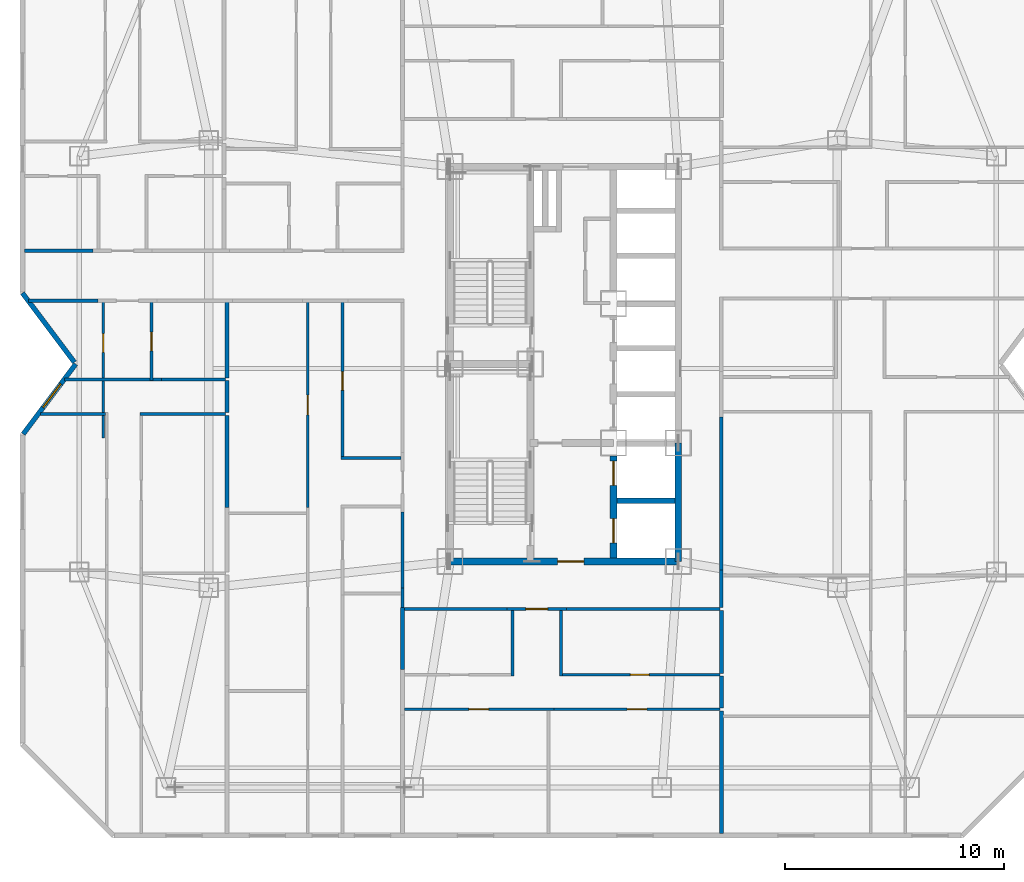
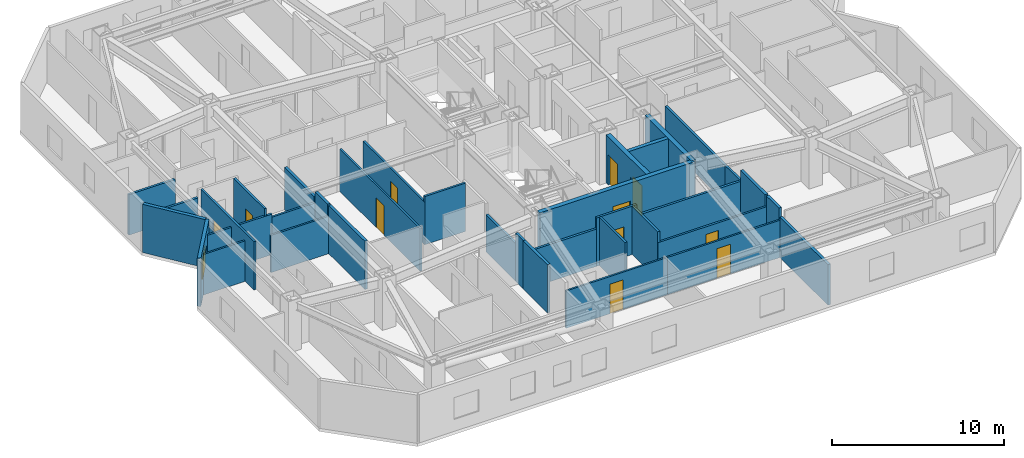
# One storey, part 6 of 12: 36 walls, 11 doors, 1 window, 12 openings.
"""IFC4 building model written with IfcOpenShell, lengths in metres."""

from ifc_helpers import new_model, si_unit, direction, frame, frame_2d, origin, place, context, subcontext, project, spatial, rectangle, extrude, material, layer, layer_set, type_object, element, fill, save


model = new_model("IFC4")

# Units and contexts
model_context = context("Model", 3, precision=1e-05, world=origin(), true_north=direction((0.0, 1.0)))
body_context = subcontext(model_context, "Body", "Model", "MODEL_VIEW")
ifc_project = project(units=[si_unit("LENGTHUNIT", "METRE"), si_unit("AREAUNIT", "SQUARE_METRE"), si_unit("VOLUMEUNIT", "CUBIC_METRE"), si_unit("PLANEANGLEUNIT", "RADIAN"), si_unit("MASSUNIT", "GRAM", prefix="KILO")], contexts=[model_context])

# Site, building, storey
site_placement = place(None, origin())
site = spatial("IfcSite", under=ifc_project, at=site_placement, CompositionType="ELEMENT")
building_placement = place(site_placement, origin())
building = spatial("IfcBuilding", under=site, at=building_placement, Name="Khamvora Tower", CompositionType="ELEMENT")
storey_placement = place(building_placement, frame((0.0, 0.0, 138.39990234375)))
storey = spatial("IfcBuildingStorey", under=building, at=storey_placement, Name="L35", CompositionType="ELEMENT", Elevation=138.39990234375)

# Wall, opening, door
ifc_material_1 = material(Name="Concrete C50/60", Category="concrete")
ifc_layer_1 = layer(ifc_material_1, 0.300048828125)
ifc_layer_set_1 = layer_set([ifc_layer_1], Name="Concrete C50/60")
wall_type_1 = type_object("IfcWallType", Name="WAL-CORE-300", PredefinedType="SHEAR", material=ifc_layer_set_1)
wall_1_placement = place(storey_placement, frame((29.0, 19.0, 0.0), z_axis=(0.0, 0.0, 1.0), x_axis=(1.0, 0.0, 0.0)))
wall_1 = element("IfcWall", 1, at=wall_1_placement, inside=storey, type_object=wall_type_1, Name="L35 central core south wall", PredefinedType="SHEAR", context=body_context, shape_type="SweptSolid", body=[
    extrude(rectangle(XDim=10.39990234375, YDim=0.300048828125, at=frame_2d((5.199951171875, 0.0))), origin(), (0.0, 0.0, 1.0), 3.43017578125),
])
opening_1_placement = place(wall_1_placement, frame((4.89990234375, 0.0, 0.0)))
opening_1 = element("IfcOpeningElement", 2, at=opening_1_placement, cuts=wall_1, Name="Opening D-CR1", PredefinedType="OPENING", context=body_context, shape_type="SweptSolid", body=[
    extrude(rectangle(XDim=1.199951171875, YDim=2.14990234375, at=frame_2d((0.60009765625, 1.074951171875))), frame((0.0, 0.159912109375, 0.0), z_axis=(0.0, -1.0, 0.0), x_axis=(1.0, 0.0, 0.0)), (0.0, 0.0, 1.0), 0.320068359375),
])
ifc_material_2 = material(Name="Powder-Coated Steel and Hardwood Leaf", Category="steel")
door_type_1 = type_object("IfcDoorType", Name="DOR-CORR-1200", OperationType="NOTDEFINED", PredefinedType="DOOR", material=ifc_material_2)
door_1_placement = place(opening_1_placement, origin())
door_1 = element("IfcDoor", 3, at=door_1_placement, inside=storey, type_object=door_type_1, Name="L35 south core lobby to corridor fire door", OperationType="SINGLE_SWING_RIGHT", OverallHeight=2.14990234375, OverallWidth=1.199951171875, PredefinedType="DOOR", context=body_context, shape_type="SweptSolid", body=[
    extrude(rectangle(XDim=1.199951171875, YDim=2.14990234375, at=frame_2d((0.60009765625, 1.074951171875))), frame((0.0, 0.02490234375, 0.0), z_axis=(0.0, -1.0, 0.0), x_axis=(1.0, 0.0, 0.0)), (0.0, 0.0, 1.0), 0.050048828125),
])
fill(opening_1, door_1)

# Wall
wall_2_placement = place(storey_placement, frame((39.39990234375, 19.0, 0.0), z_axis=(0.0, 0.0, 1.0), x_axis=(0.0, 1.0, 0.0)))
element("IfcWall", 4, at=wall_2_placement, inside=storey, type_object=wall_type_1, Name="L35 central core east south wall", PredefinedType="SHEAR", context=body_context, shape_type="SweptSolid", body=[
    extrude(rectangle(XDim=5.39990234375, YDim=0.300048828125, at=frame_2d((2.699951171875, 0.0))), origin(), (0.0, 0.0, 1.0), 3.43017578125),
])

# Wall, openings, doors
wall_3_placement = place(storey_placement, frame((36.449951171875, 19.154052734375, 0.0), z_axis=(0.0, 0.0, 1.0), x_axis=(0.0, 1.0, 0.0)))
wall_3 = element("IfcWall", 5, at=wall_3_placement, inside=storey, type_object=wall_type_1, Name="L35 central core lift bank south wall", PredefinedType="SHEAR", context=body_context, shape_type="SweptSolid", body=[
    extrude(rectangle(XDim=4.64599609375, YDim=0.300048828125, at=frame_2d((2.322998046875, 0.0))), origin(), (0.0, 0.0, 1.0), 3.43017578125),
])
opening_2_placement = place(wall_3_placement, frame((0.696044921875, 0.0, 0.0)))
opening_2 = element("IfcOpeningElement", 6, at=opening_2_placement, cuts=wall_3, Name="Opening LD-FFL", PredefinedType="OPENING", context=body_context, shape_type="SweptSolid", body=[
    extrude(rectangle(XDim=1.10009765625, YDim=2.14990234375, at=frame_2d((0.550048828125, 1.074951171875))), frame((0.0, 0.159912109375, 0.0), z_axis=(0.0, -1.0, 0.0), x_axis=(1.0, 0.0, 0.0)), (0.0, 0.0, 1.0), 0.320068359375),
])
opening_3_placement = place(wall_3_placement, frame((3.31591796875, 0.0, 0.0)))
opening_3 = element("IfcOpeningElement", 7, at=opening_3_placement, cuts=wall_3, Name="Opening LD-FFL", PredefinedType="OPENING", context=body_context, shape_type="SweptSolid", body=[
    extrude(rectangle(XDim=1.10009765625, YDim=2.14990234375, at=frame_2d((0.550048828125, 1.074951171875))), frame((0.0, 0.159912109375, 0.0), z_axis=(0.0, -1.0, 0.0), x_axis=(1.0, 0.0, 0.0)), (0.0, 0.0, 1.0), 0.320068359375),
])
door_type_2 = type_object("IfcDoorType", Name="DOR-LIFT-1100", OperationType="SLIDING_TO_LEFT", PredefinedType="DOOR", material=ifc_material_2)
door_2_placement = place(opening_2_placement, origin())
door_2 = element("IfcDoor", 8, at=door_2_placement, inside=storey, type_object=door_type_2, Name="L35 lift landing sliding door FFL-01", OperationType="SLIDING_TO_LEFT", OverallHeight=2.14990234375, OverallWidth=1.10009765625, PredefinedType="DOOR", context=body_context, shape_type="SweptSolid", body=[
    extrude(rectangle(XDim=1.10009765625, YDim=2.14990234375, at=frame_2d((0.550048828125, 1.074951171875))), frame((0.0, 0.02490234375, 0.0), z_axis=(0.0, -1.0, 0.0), x_axis=(1.0, 0.0, 0.0)), (0.0, 0.0, 1.0), 0.050048828125),
])
fill(opening_2, door_2)
door_3_placement = place(opening_3_placement, origin())
door_3 = element("IfcDoor", 9, at=door_3_placement, inside=storey, type_object=door_type_2, Name="L35 lift landing sliding door FFL-02", OperationType="SLIDING_TO_LEFT", OverallHeight=2.14990234375, OverallWidth=1.10009765625, PredefinedType="DOOR", context=body_context, shape_type="SweptSolid", body=[
    extrude(rectangle(XDim=1.10009765625, YDim=2.14990234375, at=frame_2d((0.550048828125, 1.074951171875))), frame((0.0, 0.02490234375, 0.0), z_axis=(0.0, -1.0, 0.0), x_axis=(1.0, 0.0, 0.0)), (0.0, 0.0, 1.0), 0.050048828125),
])
fill(opening_3, door_3)

# Walls
ifc_material_3 = material(Name="Fire-Rated Drywall and Steel Stud", Category="steel")
ifc_layer_2 = layer(ifc_material_3, 0.14990234375)
ifc_layer_set_2 = layer_set([ifc_layer_2], Name="Fire-Rated Drywall and Steel Stud")
wall_type_2 = type_object("IfcWallType", Name="WAL-CORR-150", PredefinedType="STANDARD", material=ifc_layer_set_2)
wall_4_placement = place(storey_placement, frame((12.945068359375, 30.885009765625, 0.0), z_axis=(0.0, 0.0, 1.0), x_axis=(-1.0, 0.0, 0.0)))
element("IfcWall", 10, at=wall_4_placement, inside=storey, type_object=wall_type_2, Name="L35 interior partition wall 005", PredefinedType="STANDARD", context=body_context, shape_type="SweptSolid", body=[
    extrude(rectangle(XDim=3.156982421875, YDim=0.14990234375, at=frame_2d((1.57861328125, 0.0))), origin(), (0.0, 0.0, 1.0), 2.8759765625),
])
wall_5_placement = place(storey_placement, frame((26.8349609375, 16.89990234375, 0.0), z_axis=(0.0, 0.0, 1.0), x_axis=(0.0, 1.0, 0.0)))
element("IfcWall", 11, at=wall_5_placement, inside=storey, type_object=wall_type_2, Name="L35 interior partition wall 007", PredefinedType="STANDARD", context=body_context, shape_type="SweptSolid", body=[
    extrude(rectangle(XDim=0.89306640625, YDim=0.14990234375, at=frame_2d((0.446533203125, 0.0))), origin(), (0.0, 0.0, 1.0), 3.43017578125),
])
wall_6_placement = place(storey_placement, frame((26.8349609375, 17.79296875, 0.0), z_axis=(0.0, 0.0, 1.0), x_axis=(0.0, 1.0, 0.0)))
element("IfcWall", 12, at=wall_6_placement, inside=storey, type_object=wall_type_2, Name="L35 interior partition wall 010", PredefinedType="STANDARD", context=body_context, shape_type="SweptSolid", body=[
    extrude(rectangle(XDim=3.467041015625, YDim=0.14990234375, at=frame_2d((1.7333984375, 0.0))), origin(), (0.0, 0.0, 1.0), 2.647216796875),
])
wall_7_placement = place(storey_placement, frame((9.612060546875, 33.1650390625, 0.0), z_axis=(0.0, 0.0, 1.0), x_axis=(1.0, 0.0, 0.0)))
element("IfcWall", 13, at=wall_7_placement, inside=storey, type_object=wall_type_2, Name="L35 interior partition wall 015", PredefinedType="STANDARD", context=body_context, shape_type="SweptSolid", body=[
    extrude(rectangle(XDim=3.114013671875, YDim=0.14990234375, at=frame_2d((1.55712890625, 0.0))), origin(), (0.0, 0.0, 1.0), 2.8759765625),
])

# Wall, opening, door
wall_8_placement = place(storey_placement, frame((34.299072265625, 16.8349609375, 0.0), z_axis=(0.0, 0.0, 1.0), x_axis=(-1.0, 0.0, 0.0)))
wall_8 = element("IfcWall", 14, at=wall_8_placement, inside=storey, type_object=wall_type_2, Name="L35 interior partition wall 023", PredefinedType="STANDARD", context=body_context, shape_type="SweptSolid", body=[
    extrude(rectangle(XDim=2.697998046875, YDim=0.14990234375, at=frame_2d((1.34912109375, 0.0))), origin(), (0.0, 0.0, 1.0), 3.43017578125),
])
opening_4_placement = place(wall_8_placement, frame((0.84912109375, 0.0, 0.0)))
opening_4 = element("IfcOpeningElement", 15, at=opening_4_placement, cuts=wall_8, Name="Opening D-U1", PredefinedType="OPENING", context=body_context, shape_type="SweptSolid", body=[
    extrude(rectangle(XDim=1.0, YDim=2.14990234375, at=frame_2d((0.5, 1.074951171875))), frame((0.0, 0.0849609375, 0.0), z_axis=(0.0, -1.0, 0.0), x_axis=(1.0, 0.0, 0.0)), (0.0, 0.0, 1.0), 0.169921875),
])
door_type_3 = type_object("IfcDoorType", Name="DOR-UNIT-1000", OperationType="NOTDEFINED", PredefinedType="DOOR", material=ifc_material_2)
door_4_placement = place(opening_4_placement, origin())
door_4 = element("IfcDoor", 16, at=door_4_placement, inside=storey, type_object=door_type_3, Name="L35 interior door COR-35SAH", OperationType="SINGLE_SWING_LEFT", OverallHeight=2.14990234375, OverallWidth=1.0, PredefinedType="DOOR", context=body_context, shape_type="SweptSolid", body=[
    extrude(rectangle(XDim=1.0, YDim=2.14990234375, at=frame_2d((0.5, 1.074951171875))), frame((0.0, 0.02490234375, 0.0), z_axis=(0.0, -1.0, 0.0), x_axis=(1.0, 0.0, 0.0)), (0.0, 0.0, 1.0), 0.050048828125),
])
fill(opening_4, door_4)

# Walls
wall_9_placement = place(storey_placement, frame((31.60107421875, 16.8349609375, 0.0), z_axis=(0.0, 0.0, 1.0), x_axis=(-1.0, 0.0, 0.0)))
element("IfcWall", 17, at=wall_9_placement, inside=storey, type_object=wall_type_2, Name="L35 interior partition wall 024", PredefinedType="STANDARD", context=body_context, shape_type="SweptSolid", body=[
    extrude(rectangle(XDim=4.701171875, YDim=0.14990234375, at=frame_2d((2.3505859375, 0.0))), origin(), (0.0, 0.0, 1.0), 2.647216796875),
])
wall_10_placement = place(storey_placement, frame((41.300048828125, 16.8349609375, 0.0), z_axis=(0.0, 0.0, 1.0), x_axis=(-1.0, 0.0, 0.0)))
element("IfcWall", 18, at=wall_10_placement, inside=storey, type_object=wall_type_2, Name="L35 interior partition wall 025", PredefinedType="STANDARD", context=body_context, shape_type="SweptSolid", body=[
    extrude(rectangle(XDim=7.0009765625, YDim=0.14990234375, at=frame_2d((3.50048828125, 0.0))), origin(), (0.0, 0.0, 1.0), 2.647216796875),
])
wall_11_placement = place(storey_placement, frame((41.364990234375, 18.612060546875, 0.0), z_axis=(0.0, 0.0, 1.0), x_axis=(0.0, -1.0, 0.0)))
element("IfcWall", 19, at=wall_11_placement, inside=storey, type_object=wall_type_2, Name="L35 interior partition wall 034", PredefinedType="STANDARD", context=body_context, shape_type="SweptSolid", body=[
    extrude(rectangle(XDim=1.712158203125, YDim=0.14990234375, at=frame_2d((0.85595703125, 0.0))), origin(), (0.0, 0.0, 1.0), 2.647216796875),
])
wall_12_placement = place(storey_placement, frame((41.364990234375, 25.575927734375, 0.0), z_axis=(0.0, 0.0, 1.0), x_axis=(0.0, -1.0, 0.0)))
element("IfcWall", 20, at=wall_12_placement, inside=storey, type_object=wall_type_2, Name="L35 interior partition wall 035", PredefinedType="STANDARD", context=body_context, shape_type="SweptSolid", body=[
    extrude(rectangle(XDim=6.9638671875, YDim=0.14990234375, at=frame_2d((3.48193359375, 0.0))), origin(), (0.0, 0.0, 1.0), 2.647216796875),
])
ifc_material_4 = material(Name="Acoustic Double-Stud Fire Wall", Category="gypsum")
ifc_layer_3 = layer(ifc_material_4, 0.179931640625)
ifc_layer_set_3 = layer_set([ifc_layer_3], Name="Acoustic Double-Stud Fire Wall")
wall_type_3 = type_object("IfcWallType", Name="WAL-CORR-180", PredefinedType="STANDARD", material=ifc_layer_set_3)
wall_13_placement = place(storey_placement, frame((18.830078125, 27.239990234375, 0.0), z_axis=(0.0, 0.0, 1.0), x_axis=(0.0, -1.0, 0.0)))
element("IfcWall", 21, at=wall_13_placement, inside=storey, type_object=wall_type_3, Name="L35 interior partition wall 052", PredefinedType="STANDARD", context=body_context, shape_type="SweptSolid", body=[
    extrude(rectangle(XDim=1.449951171875, YDim=0.179931640625, at=frame_2d((0.72509765625, 0.0))), origin(), (0.0, 0.0, 1.0), 3.43017578125),
])
wall_14_placement = place(storey_placement, frame((18.830078125, 30.820068359375, 0.0), z_axis=(0.0, 0.0, 1.0), x_axis=(0.0, -1.0, 0.0)))
element("IfcWall", 22, at=wall_14_placement, inside=storey, type_object=wall_type_3, Name="L35 interior partition wall 053", PredefinedType="STANDARD", context=body_context, shape_type="SweptSolid", body=[
    extrude(rectangle(XDim=3.449951171875, YDim=0.179931640625, at=frame_2d((1.72509765625, 0.0))), origin(), (0.0, 0.0, 1.0), 3.01318359375),
])
wall_15_placement = place(storey_placement, frame((18.830078125, 25.659912109375, 0.0), z_axis=(0.0, 0.0, 1.0), x_axis=(0.0, -1.0, 0.0)))
element("IfcWall", 23, at=wall_15_placement, inside=storey, type_object=wall_type_3, Name="L35 interior partition wall 059", PredefinedType="STANDARD", context=body_context, shape_type="SweptSolid", body=[
    extrude(rectangle(XDim=4.208984375, YDim=0.179931640625, at=frame_2d((2.1044921875, 0.0))), origin(), (0.0, 0.0, 1.0), 3.43017578125),
])
wall_16_placement = place(storey_placement, frame((26.8349609375, 16.89990234375, 0.0), z_axis=(0.0, 0.0, 1.0), x_axis=(0.0, -1.0, 0.0)))
element("IfcWall", 24, at=wall_16_placement, inside=storey, type_object=wall_type_3, Name="L35 interior partition wall 063", PredefinedType="STANDARD", context=body_context, shape_type="SweptSolid", body=[
    extrude(rectangle(XDim=2.81298828125, YDim=0.179931640625, at=frame_2d((1.406494140625, 0.0))), origin(), (0.0, 0.0, 1.0), 3.43017578125),
])
wall_17_placement = place(storey_placement, frame((41.364990234375, 13.77294921875, 0.0), z_axis=(0.0, 0.0, 1.0), x_axis=(0.0, -1.0, 0.0)))
element("IfcWall", 25, at=wall_17_placement, inside=storey, type_object=wall_type_3, Name="L35 interior partition wall 103", PredefinedType="STANDARD", context=body_context, shape_type="SweptSolid", body=[
    extrude(rectangle(XDim=1.449951171875, YDim=0.179931640625, at=frame_2d((0.72509765625, 0.0))), origin(), (0.0, 0.0, 1.0), 3.43017578125),
])
wall_18_placement = place(storey_placement, frame((41.364990234375, 16.77001953125, 0.0), z_axis=(0.0, 0.0, 1.0), x_axis=(0.0, -1.0, 0.0)))
element("IfcWall", 26, at=wall_18_placement, inside=storey, type_object=wall_type_3, Name="L35 interior partition wall 104", PredefinedType="STANDARD", context=body_context, shape_type="SweptSolid", body=[
    extrude(rectangle(XDim=2.866943359375, YDim=0.179931640625, at=frame_2d((1.43359375, 0.0))), origin(), (0.0, 0.0, 1.0), 3.43017578125),
])
wall_19_placement = place(storey_placement, frame((41.364990234375, 12.193115234375, 0.0), z_axis=(0.0, 0.0, 1.0), x_axis=(0.0, -1.0, 0.0)))
element("IfcWall", 27, at=wall_19_placement, inside=storey, type_object=wall_type_3, Name="L35 interior partition wall 106", PredefinedType="STANDARD", context=body_context, shape_type="SweptSolid", body=[
    extrude(rectangle(XDim=5.5810546875, YDim=0.179931640625, at=frame_2d((2.79052734375, 0.0))), origin(), (0.0, 0.0, 1.0), 2.8759765625),
])

# Wall, opening, window
ifc_material_5 = material(Name="Precast concrete C40/50", Category="concrete")
ifc_layer_4 = layer(ifc_material_5, 0.219970703125)
ifc_layer_set_4 = layer_set([ifc_layer_4], Name="Precast concrete C40/50")
wall_type_4 = type_object("IfcWallType", Name="WAL-EXT-220", PredefinedType="STANDARD", material=ifc_layer_set_4)
wall_20_placement = place(storey_placement, frame((9.5439453125, 24.80810546875, 0.0), z_axis=(0.0, 0.0, 1.0), x_axis=(0.600019580308, 0.799985314394, 0.0)))
wall_20 = element("IfcWall", 28, at=wall_20_placement, inside=storey, type_object=wall_type_4, Name="L35 exterior facade wall 03.1", PredefinedType="STANDARD", context=body_context, shape_type="SweptSolid", body=[
    extrude(rectangle(XDim=3.989990234375, YDim=0.219970703125, at=frame_2d((1.9951171875, 0.0))), origin(), (0.0, 0.0, 1.0), 3.43017578125),
])
opening_5_placement = place(wall_20_placement, frame((1.509033203125, 0.0, 0.85009765625)))
opening_5 = element("IfcOpeningElement", 29, at=opening_5_placement, cuts=wall_20, Name="Opening WN-07", PredefinedType="OPENING", context=body_context, shape_type="SweptSolid", body=[
    extrude(rectangle(XDim=1.35009765625, YDim=1.5, at=frame_2d((0.675048828125, 0.75))), frame((0.0, 0.119873046875, 0.0), z_axis=(0.0, -1.0, 0.0), x_axis=(1.0, 0.0, 0.0)), (0.0, 0.0, 1.0), 0.239990234375),
])
ifc_material_6 = material(Name="Low-E Laminated Double Glazing", Category="glass")
window_type = type_object("IfcWindowType", Name="WIN-VIS-1350x1500", PartitioningType="SINGLE_PANEL", PredefinedType="WINDOW", material=ifc_material_6)
window_placement = place(opening_5_placement, origin())
window = element("IfcWindow", 30, at=window_placement, inside=storey, type_object=window_type, Name="L35 vision window 03.1.01", OverallHeight=1.5, OverallWidth=1.35009765625, PartitioningType="SINGLE_PANEL", PredefinedType="WINDOW", context=body_context, shape_type="SweptSolid", body=[
    extrude(rectangle(XDim=1.35009765625, YDim=1.5, at=frame_2d((0.675048828125, 0.75))), frame((0.0, 0.030029296875, 0.0), z_axis=(0.0, -1.0, 0.0), x_axis=(1.0, 0.0, 0.0)), (0.0, 0.0, 1.0), 0.06005859375),
])
fill(opening_5, window)

# Walls
wall_21_placement = place(storey_placement, frame((11.881103515625, 28.076904296875, 0.0), z_axis=(0.0, 0.0, 1.0), x_axis=(-0.600158184825, 0.799881336942, 0.0)))
element("IfcWall", 31, at=wall_21_placement, inside=storey, type_object=wall_type_4, Name="L35 exterior facade wall 04.1", PredefinedType="STANDARD", context=body_context, shape_type="SweptSolid", body=[
    extrude(rectangle(XDim=3.95068359375, YDim=0.219970703125, at=frame_2d((1.975341796875, 0.0))), origin(), (0.0, 0.0, 1.0), 3.43017578125),
])
ifc_material_7 = material(Name="Gypsum Plasterboard Partition", Category="gypsum")
ifc_layer_5 = layer(ifc_material_7, 0.1201171875)
ifc_layer_set_5 = layer_set([ifc_layer_5], Name="Gypsum Plasterboard Partition")
wall_type_5 = type_object("IfcWallType", Name="WAL-PART-120", PredefinedType="PARTITIONING", material=ifc_layer_set_5)
wall_22_placement = place(storey_placement, frame((13.299072265625, 25.72509765625, 0.0), z_axis=(0.0, 0.0, 1.0), x_axis=(-1.0, 0.0, 0.0)))
element("IfcWall", 32, at=wall_22_placement, inside=storey, type_object=wall_type_5, Name="L35 interior partition wall 048", PredefinedType="PARTITIONING", context=body_context, shape_type="SweptSolid", body=[
    extrude(rectangle(XDim=2.9560546875, YDim=0.1201171875, at=frame_2d((1.47802734375, 0.0))), origin(), (0.0, 0.0, 1.0), 2.8759765625),
])
wall_23_placement = place(storey_placement, frame((18.764892578125, 25.72509765625, 0.0), z_axis=(0.0, 0.0, 1.0), x_axis=(-1.0, 0.0, 0.0)))
element("IfcWall", 33, at=wall_23_placement, inside=storey, type_object=wall_type_5, Name="L35 interior partition wall 050", PredefinedType="PARTITIONING", context=body_context, shape_type="SweptSolid", body=[
    extrude(rectangle(XDim=3.906982421875, YDim=0.1201171875, at=frame_2d((1.95361328125, 0.0))), origin(), (0.0, 0.0, 1.0), 2.647216796875),
])

# Wall, opening, door
wall_24_placement = place(storey_placement, frame((22.51806640625, 21.450927734375, 0.0), z_axis=(0.0, 0.0, 1.0), x_axis=(0.0, 1.0, 0.0)))
wall_24 = element("IfcWall", 34, at=wall_24_placement, inside=storey, type_object=wall_type_5, Name="L35 interior partition wall 071", PredefinedType="PARTITIONING", context=body_context, shape_type="SweptSolid", body=[
    extrude(rectangle(XDim=9.369140625, YDim=0.1201171875, at=frame_2d((4.6845703125, 0.0))), origin(), (0.0, 0.0, 1.0), 3.01318359375),
])
opening_6_placement = place(wall_24_placement, frame((4.23388671875, 0.0, 0.0)))
opening_6 = element("IfcOpeningElement", 35, at=opening_6_placement, cuts=wall_24, Name="Opening D-RM1", PredefinedType="OPENING", context=body_context, shape_type="SweptSolid", body=[
    extrude(rectangle(XDim=0.89990234375, YDim=2.10009765625, at=frame_2d((0.449951171875, 1.050048828125))), frame((0.0, 0.070068359375, 0.0), z_axis=(0.0, -1.0, 0.0), x_axis=(1.0, 0.0, 0.0)), (0.0, 0.0, 1.0), 0.14013671875),
])
door_type_4 = type_object("IfcDoorType", Name="DOR-ROOM-900", OperationType="NOTDEFINED", PredefinedType="DOOR", material=ifc_material_2)
door_5_placement = place(opening_6_placement, origin())
door_5 = element("IfcDoor", 36, at=door_5_placement, inside=storey, type_object=door_type_4, Name="L35 interior door 35WA2H-35WA2R3", OperationType="SINGLE_SWING_RIGHT", OverallHeight=2.10009765625, OverallWidth=0.89990234375, PredefinedType="DOOR", context=body_context, shape_type="SweptSolid", body=[
    extrude(rectangle(XDim=0.89990234375, YDim=2.10009765625, at=frame_2d((0.449951171875, 1.050048828125))), frame((0.0, 0.02490234375, 0.0), z_axis=(0.0, -1.0, 0.0), x_axis=(1.0, 0.0, 0.0)), (0.0, 0.0, 1.0), 0.050048828125),
])
fill(opening_6, door_5)

wall_25_placement = place(storey_placement, frame((33.73388671875, 12.258056640625, 0.0), z_axis=(0.0, 0.0, 1.0), x_axis=(-1.0, 0.0, 0.0)))
wall_25 = element("IfcWall", 37, at=wall_25_placement, inside=storey, type_object=wall_type_5, Name="L35 interior partition wall 101", PredefinedType="PARTITIONING", context=body_context, shape_type="SweptSolid", body=[
    extrude(rectangle(XDim=6.81689453125, YDim=0.1201171875, at=frame_2d((3.408447265625, 0.0))), origin(), (0.0, 0.0, 1.0), 2.647216796875),
])
opening_7_placement = place(wall_25_placement, frame((2.97998046875, 0.0, 0.0)))
opening_7 = element("IfcOpeningElement", 38, at=opening_7_placement, cuts=wall_25, Name="Opening D-RM1", PredefinedType="OPENING", context=body_context, shape_type="SweptSolid", body=[
    extrude(rectangle(XDim=0.89990234375, YDim=2.10009765625, at=frame_2d((0.449951171875, 1.050048828125))), frame((0.0, 0.070068359375, 0.0), z_axis=(0.0, -1.0, 0.0), x_axis=(1.0, 0.0, 0.0)), (0.0, 0.0, 1.0), 0.14013671875),
])
door_6_placement = place(opening_7_placement, origin())
door_6 = element("IfcDoor", 39, at=door_6_placement, inside=storey, type_object=door_type_4, Name="L35 interior door 35SAH-35SAR1", OperationType="SINGLE_SWING_LEFT", OverallHeight=2.10009765625, OverallWidth=0.89990234375, PredefinedType="DOOR", context=body_context, shape_type="SweptSolid", body=[
    extrude(rectangle(XDim=0.89990234375, YDim=2.10009765625, at=frame_2d((0.449951171875, 1.050048828125))), frame((0.0, 0.02490234375, 0.0), z_axis=(0.0, -1.0, 0.0), x_axis=(1.0, 0.0, 0.0)), (0.0, 0.0, 1.0), 0.050048828125),
])
fill(opening_7, door_6)

wall_26_placement = place(storey_placement, frame((41.300048828125, 12.258056640625, 0.0), z_axis=(0.0, 0.0, 1.0), x_axis=(-1.0, 0.0, 0.0)))
wall_26 = element("IfcWall", 40, at=wall_26_placement, inside=storey, type_object=wall_type_5, Name="L35 interior partition wall 102", PredefinedType="PARTITIONING", context=body_context, shape_type="SweptSolid", body=[
    extrude(rectangle(XDim=7.566162109375, YDim=0.1201171875, at=frame_2d((3.783203125, 0.0))), origin(), (0.0, 0.0, 1.0), 2.647216796875),
])
opening_8_placement = place(wall_26_placement, frame((3.3330078125, 0.0, 0.0)))
opening_8 = element("IfcOpeningElement", 41, at=opening_8_placement, cuts=wall_26, Name="Opening D-RM1", PredefinedType="OPENING", context=body_context, shape_type="SweptSolid", body=[
    extrude(rectangle(XDim=0.89990234375, YDim=2.10009765625, at=frame_2d((0.449951171875, 1.050048828125))), frame((0.0, 0.070068359375, 0.0), z_axis=(0.0, -1.0, 0.0), x_axis=(1.0, 0.0, 0.0)), (0.0, 0.0, 1.0), 0.14013671875),
])
door_7_placement = place(opening_8_placement, origin())
door_7 = element("IfcDoor", 42, at=door_7_placement, inside=storey, type_object=door_type_4, Name="L35 interior door 35SAH-35SAR2", OperationType="SINGLE_SWING_RIGHT", OverallHeight=2.10009765625, OverallWidth=0.89990234375, PredefinedType="DOOR", context=body_context, shape_type="SweptSolid", body=[
    extrude(rectangle(XDim=0.89990234375, YDim=2.10009765625, at=frame_2d((0.449951171875, 1.050048828125))), frame((0.0, 0.02490234375, 0.0), z_axis=(0.0, -1.0, 0.0), x_axis=(1.0, 0.0, 0.0)), (0.0, 0.0, 1.0), 0.050048828125),
])
fill(opening_8, door_7)

# Walls
ifc_material_8 = material(Name="Concrete C40/50", Category="concrete")
ifc_layer_6 = layer(ifc_material_8, 0.25)
ifc_layer_set_6 = layer_set([ifc_layer_6], Name="Concrete C40/50")
wall_type_6 = type_object("IfcWallType", Name="WAL-PODS-250", PredefinedType="SHEAR", material=ifc_layer_set_6)
wall_27_placement = place(storey_placement, frame((36.60400390625, 21.77490234375, 0.0), z_axis=(0.0, 0.0, 1.0), x_axis=(1.0, 0.0, 0.0)))
element("IfcWall", 43, at=wall_27_placement, inside=storey, type_object=wall_type_6, Name="L35 lift shaft divider wall FFL-01", PredefinedType="SHEAR", context=body_context, shape_type="SweptSolid", body=[
    extrude(rectangle(XDim=2.64208984375, YDim=0.25, at=frame_2d((1.321044921875, 0.0))), origin(), (0.0, 0.0, 1.0), 3.43017578125),
])
ifc_material_9 = material(Name="Moisture-Resistant Plasterboard Partition", Category="gypsum")
ifc_layer_7 = layer(ifc_material_9, 0.135009765625)
ifc_layer_set_7 = layer_set([ifc_layer_7], Name="Moisture-Resistant Plasterboard Partition")
wall_type_7 = type_object("IfcWallType", Name="WAL-WET-135", PredefinedType="PARTITIONING", material=ifc_layer_set_7)
wall_28_placement = place(storey_placement, frame((11.428955078125, 27.304931640625, 0.0), z_axis=(0.0, 0.0, 1.0), x_axis=(1.0, 0.0, 0.0)))
element("IfcWall", 44, at=wall_28_placement, inside=storey, type_object=wall_type_7, Name="L35 interior partition wall 042", PredefinedType="PARTITIONING", context=body_context, shape_type="SweptSolid", body=[
    extrude(rectangle(XDim=4.429931640625, YDim=0.135009765625, at=frame_2d((2.21484375, 0.0))), origin(), (0.0, 0.0, 1.0), 2.8759765625),
])

# Wall, opening, door
wall_29_placement = place(storey_placement, frame((13.194091796875, 24.639892578125, 0.0), z_axis=(0.0, 0.0, 1.0), x_axis=(0.0, 1.0, 0.0)))
wall_29 = element("IfcWall", 45, at=wall_29_placement, inside=storey, type_object=wall_type_7, Name="L35 interior partition wall 043", PredefinedType="PARTITIONING", context=body_context, shape_type="SweptSolid", body=[
    extrude(rectangle(XDim=6.18017578125, YDim=0.135009765625, at=frame_2d((3.090087890625, 0.0))), origin(), (0.0, 0.0, 1.0), 3.43017578125),
])
opening_9_placement = place(wall_29_placement, frame((3.89404296875, 0.0, 0.0)))
opening_9 = element("IfcOpeningElement", 46, at=opening_9_placement, cuts=wall_29, Name="Opening D-WC1", PredefinedType="OPENING", context=body_context, shape_type="SweptSolid", body=[
    extrude(rectangle(XDim=0.85009765625, YDim=2.10009765625, at=frame_2d((0.425048828125, 1.050048828125))), frame((0.0, 0.077392578125, 0.0), z_axis=(0.0, -1.0, 0.0), x_axis=(1.0, 0.0, 0.0)), (0.0, 0.0, 1.0), 0.155029296875),
])
door_type_5 = type_object("IfcDoorType", Name="DOR-WET-850", OperationType="NOTDEFINED", PredefinedType="DOOR", material=ifc_material_2)
door_8_placement = place(opening_9_placement, origin())
door_8 = element("IfcDoor", 47, at=door_8_placement, inside=storey, type_object=door_type_5, Name="L35 interior door 35WA1H-35WA1B", OperationType="SINGLE_SWING_LEFT", OverallHeight=2.10009765625, OverallWidth=0.85009765625, PredefinedType="DOOR", context=body_context, shape_type="SweptSolid", body=[
    extrude(rectangle(XDim=0.85009765625, YDim=2.10009765625, at=frame_2d((0.425048828125, 1.050048828125))), frame((0.0, 0.02490234375, 0.0), z_axis=(0.0, -1.0, 0.0), x_axis=(1.0, 0.0, 0.0)), (0.0, 0.0, 1.0), 0.050048828125),
])
fill(opening_9, door_8)

wall_30_placement = place(storey_placement, frame((15.39404296875, 30.820068359375, 0.0), z_axis=(0.0, 0.0, 1.0), x_axis=(0.0, -1.0, 0.0)))
wall_30 = element("IfcWall", 48, at=wall_30_placement, inside=storey, type_object=wall_type_7, Name="L35 interior partition wall 044", PredefinedType="PARTITIONING", context=body_context, shape_type="SweptSolid", body=[
    extrude(rectangle(XDim=3.580078125, YDim=0.135009765625, at=frame_2d((1.7900390625, 0.0))), origin(), (0.0, 0.0, 1.0), 3.43017578125),
])
opening_10_placement = place(wall_30_placement, frame((1.364990234375, 0.0, 0.0)))
opening_10 = element("IfcOpeningElement", 49, at=opening_10_placement, cuts=wall_30, Name="Opening D-RM2", PredefinedType="OPENING", context=body_context, shape_type="SweptSolid", body=[
    extrude(rectangle(XDim=0.85009765625, YDim=2.10009765625, at=frame_2d((0.425048828125, 1.050048828125))), frame((0.0, 0.077392578125, 0.0), z_axis=(0.0, -1.0, 0.0), x_axis=(1.0, 0.0, 0.0)), (0.0, 0.0, 1.0), 0.155029296875),
])
door_type_6 = type_object("IfcDoorType", Name="DOR-ROOM-850", OperationType="NOTDEFINED", PredefinedType="DOOR", material=ifc_material_2)
door_9_placement = place(opening_10_placement, origin())
door_9 = element("IfcDoor", 50, at=door_9_placement, inside=storey, type_object=door_type_6, Name="L35 interior door 35WA1H-35WA1K", OperationType="SINGLE_SWING_RIGHT", OverallHeight=2.10009765625, OverallWidth=0.85009765625, PredefinedType="DOOR", context=body_context, shape_type="SweptSolid", body=[
    extrude(rectangle(XDim=0.85009765625, YDim=2.10009765625, at=frame_2d((0.425048828125, 1.050048828125))), frame((0.0, 0.02490234375, 0.0), z_axis=(0.0, -1.0, 0.0), x_axis=(1.0, 0.0, 0.0)), (0.0, 0.0, 1.0), 0.050048828125),
])
fill(opening_10, door_9)

# Wall
wall_31_placement = place(storey_placement, frame((15.85888671875, 27.304931640625, 0.0), z_axis=(0.0, 0.0, 1.0), x_axis=(1.0, 0.0, 0.0)))
element("IfcWall", 51, at=wall_31_placement, inside=storey, type_object=wall_type_7, Name="L35 interior partition wall 045", PredefinedType="PARTITIONING", context=body_context, shape_type="SweptSolid", body=[
    extrude(rectangle(XDim=2.906005859375, YDim=0.135009765625, at=frame_2d((1.453125, 0.0))), origin(), (0.0, 0.0, 1.0), 2.647216796875),
])

# Wall, opening, door
wall_32_placement = place(storey_placement, frame((24.097900390625, 30.820068359375, 0.0), z_axis=(0.0, 0.0, 1.0), x_axis=(0.0, -1.0, 0.0)))
wall_32 = element("IfcWall", 52, at=wall_32_placement, inside=storey, type_object=wall_type_7, Name="L35 interior partition wall 067", PredefinedType="PARTITIONING", context=body_context, shape_type="SweptSolid", body=[
    extrude(rectangle(XDim=7.176025390625, YDim=0.135009765625, at=frame_2d((3.587890625, 0.0))), origin(), (0.0, 0.0, 1.0), 3.01318359375),
])
opening_11_placement = place(wall_32_placement, frame((3.1630859375, 0.0, 0.0)))
opening_11 = element("IfcOpeningElement", 53, at=opening_11_placement, cuts=wall_32, Name="Opening D-RM2", PredefinedType="OPENING", context=body_context, shape_type="SweptSolid", body=[
    extrude(rectangle(XDim=0.85009765625, YDim=2.10009765625, at=frame_2d((0.425048828125, 1.050048828125))), frame((0.0, 0.077392578125, 0.0), z_axis=(0.0, -1.0, 0.0), x_axis=(1.0, 0.0, 0.0)), (0.0, 0.0, 1.0), 0.155029296875),
])
door_10_placement = place(opening_11_placement, origin())
door_10 = element("IfcDoor", 54, at=door_10_placement, inside=storey, type_object=door_type_6, Name="L35 interior door 35WA2H-35WA2K", OperationType="SINGLE_SWING_LEFT", OverallHeight=2.10009765625, OverallWidth=0.85009765625, PredefinedType="DOOR", context=body_context, shape_type="SweptSolid", body=[
    extrude(rectangle(XDim=0.85009765625, YDim=2.10009765625, at=frame_2d((0.425048828125, 1.050048828125))), frame((0.0, 0.02490234375, 0.0), z_axis=(0.0, -1.0, 0.0), x_axis=(1.0, 0.0, 0.0)), (0.0, 0.0, 1.0), 0.050048828125),
])
fill(opening_11, door_10)

# Walls
wall_33_placement = place(storey_placement, frame((24.032958984375, 23.708984375, 0.0), z_axis=(0.0, 0.0, 1.0), x_axis=(1.0, 0.0, 0.0)))
element("IfcWall", 55, at=wall_33_placement, inside=storey, type_object=wall_type_7, Name="L35 interior partition wall 068", PredefinedType="PARTITIONING", context=body_context, shape_type="SweptSolid", body=[
    extrude(rectangle(XDim=2.737060546875, YDim=0.135009765625, at=frame_2d((1.36865234375, 0.0))), origin(), (0.0, 0.0, 1.0), 3.43017578125),
])
for number, where, z_axis, x_axis, name in (
    (56, (31.85009765625, 13.77294921875, 0.0), (0.0, 0.0, 1.0), (0.0, 1.0, 0.0), "L35 interior partition wall 098"),
    (57, (34.050048828125, 16.77001953125, 0.0), (0.0, 0.0, 1.0), (0.0, -1.0, 0.0), "L35 interior partition wall 099"),
):
    element("IfcWall", number, at=place(storey_placement, frame(where, z_axis=z_axis, x_axis=x_axis)), inside=storey, type_object=wall_type_7, Name=name, PredefinedType="PARTITIONING", context=body_context, shape_type="SweptSolid", body=[
        extrude(rectangle(XDim=2.9970703125, YDim=0.135009765625, at=frame_2d((1.49853515625, 0.0))), origin(), (0.0, 0.0, 1.0), 3.43017578125),
    ])

# Wall, opening, door
wall_34_placement = place(storey_placement, frame((33.985107421875, 13.837890625, 0.0), z_axis=(0.0, 0.0, 1.0), x_axis=(1.0, 0.0, 0.0)))
wall_34 = element("IfcWall", 58, at=wall_34_placement, inside=storey, type_object=wall_type_7, Name="L35 interior partition wall 100", PredefinedType="PARTITIONING", context=body_context, shape_type="SweptSolid", body=[
    extrude(rectangle(XDim=7.31494140625, YDim=0.135009765625, at=frame_2d((3.657470703125, 0.0))), origin(), (0.0, 0.0, 1.0), 2.647216796875),
])
opening_12_placement = place(wall_34_placement, frame((3.23291015625, 0.0, 0.0)))
opening_12 = element("IfcOpeningElement", 59, at=opening_12_placement, cuts=wall_34, Name="Opening D-RM2", PredefinedType="OPENING", context=body_context, shape_type="SweptSolid", body=[
    extrude(rectangle(XDim=0.85009765625, YDim=2.10009765625, at=frame_2d((0.425048828125, 1.050048828125))), frame((0.0, 0.077392578125, 0.0), z_axis=(0.0, -1.0, 0.0), x_axis=(1.0, 0.0, 0.0)), (0.0, 0.0, 1.0), 0.155029296875),
])
door_11_placement = place(opening_12_placement, origin())
door_11 = element("IfcDoor", 60, at=door_11_placement, inside=storey, type_object=door_type_6, Name="L35 interior door 35SAH-35SAK", OperationType="SINGLE_SWING_RIGHT", OverallHeight=2.10009765625, OverallWidth=0.85009765625, PredefinedType="DOOR", context=body_context, shape_type="SweptSolid", body=[
    extrude(rectangle(XDim=0.85009765625, YDim=2.10009765625, at=frame_2d((0.425048828125, 1.050048828125))), frame((0.0, 0.02490234375, 0.0), z_axis=(0.0, -1.0, 0.0), x_axis=(1.0, 0.0, 0.0)), (0.0, 0.0, 1.0), 0.050048828125),
])
fill(opening_12, door_11)

save(model, "model.ifc")
